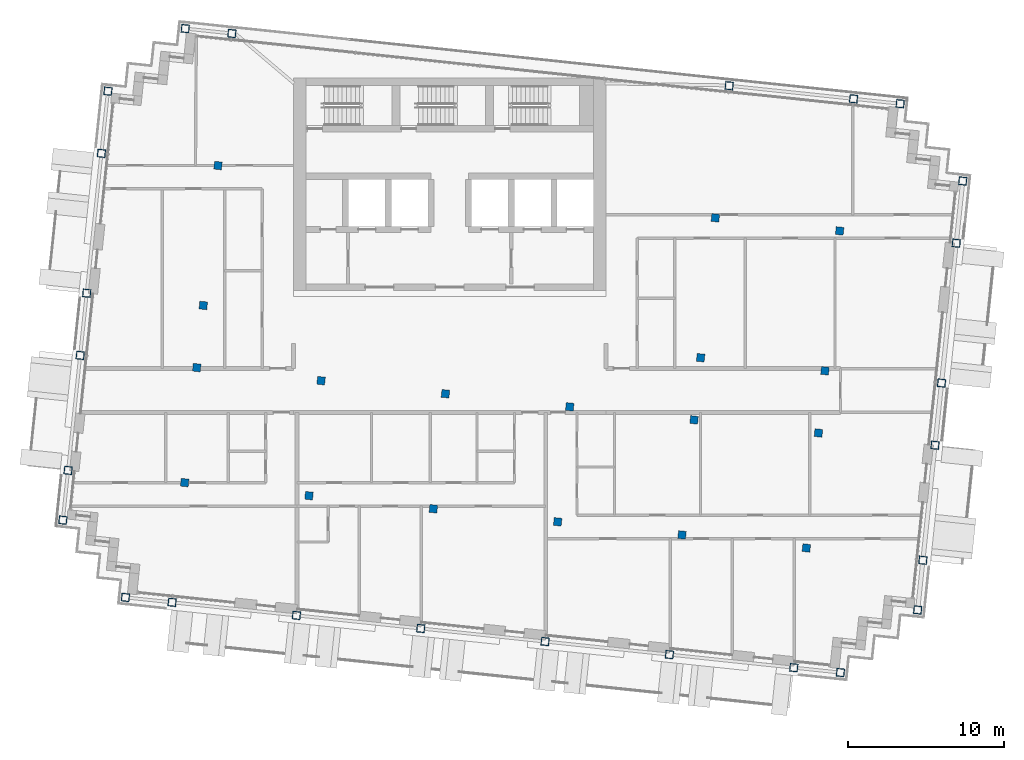
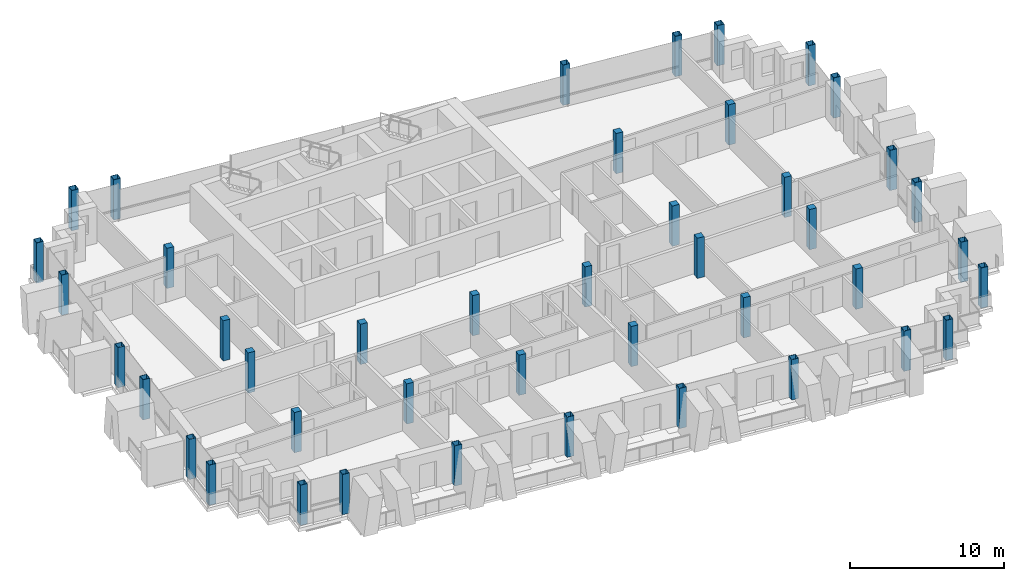
# One storey, part 1 of 16: 43 columns.
"""IFC4 building model written with IfcOpenShell, lengths in metres."""

from ifc_helpers import new_model, si_unit, direction, frame, origin, origin_2d, place, context, subcontext, project, spatial, rectangle, hollow_rectangle, extrude, material, material_profile, profile_set, type_object, element, save


model = new_model("IFC4")

# Units and contexts
model_context = context("Model", 3, precision=1e-05, world=origin(), true_north=direction((0.0, 1.0)))
body_context = subcontext(model_context, "Body", "Model", "MODEL_VIEW")
ifc_project = project(units=[si_unit("LENGTHUNIT", "METRE"), si_unit("AREAUNIT", "SQUARE_METRE"), si_unit("VOLUMEUNIT", "CUBIC_METRE"), si_unit("PLANEANGLEUNIT", "RADIAN"), si_unit("MASSUNIT", "GRAM", prefix="KILO")], contexts=[model_context])

# Site, building, storey
site_placement = place(None, origin())
site = spatial("IfcSite", under=ifc_project, at=site_placement, CompositionType="ELEMENT")
building_placement = place(site_placement, origin())
building = spatial("IfcBuilding", under=site, at=building_placement, Name="Vidyagriha Tower", CompositionType="ELEMENT")
storey_placement = place(building_placement, frame((0.0, 0.0, 275.5)))
storey = spatial("IfcBuildingStorey", under=building, at=storey_placement, Name="L72", CompositionType="ELEMENT", Elevation=275.5)

# Columns
ifc_material_1 = material(Name="Steel ASTM A572 Grade 50", Category="steel")
ifc_material_profile_1 = material_profile(ifc_material_1, hollow_rectangle(XDim=0.5, YDim=0.5, WallThickness=0.02490234375, at=origin_2d()), Name="BOX 500x500x25")
ifc_profile_set_1 = profile_set([ifc_material_profile_1], Name="Steel ASTM A572 Grade 50")
column_type_1 = type_object("IfcColumnType", Name="Exoskeleton column BOX 500x500x25", PredefinedType="COLUMN", material=ifc_profile_set_1)
for number, where, z_axis, x_axis, name in (
    (1, (-20.751953125, -13.24267578125, 0.0), (0.0, 0.0, 1.0), (0.994521895368, -0.104528463268, 0.0), "st-col-L72-B6-001"),
    (2, (-17.768310546875, -13.55615234375, 0.0), (0.0, 0.0, 1.0), (0.994521895368, -0.104528463268, 0.0), "st-col-L72-B6-002"),
    (3, (-9.812255859375, -14.392333984375, 0.0), (0.0, 0.0, 1.0), (0.994521895368, -0.104528463268, 0.0), "st-col-L72-B6-003"),
    (4, (-1.856201171875, -15.228515625, 0.0), (0.0, 0.0, 1.0), (0.994521895368, -0.104528463268, 0.0), "st-col-L72-B6-004"),
    (5, (6.10009765625, -16.06494140625, 0.0), (0.0, 0.0, 1.0), (0.994521895368, -0.104528463268, 0.0), "st-col-L72-B6-005"),
    (6, (14.056396484375, -16.901123046875, 0.0), (0.0, 0.0, 1.0), (0.994521895368, -0.104528463268, 0.0), "st-col-L72-B6-006"),
    (7, (22.012451171875, -17.7373046875, 0.0), (0.0, 0.0, 1.0), (0.994521895368, -0.104528463268, 0.0), "st-col-L72-B6-007"),
    (8, (24.99609375, -18.05078125, 0.0), (0.0, 0.0, 1.0), (0.994521895368, -0.104528463268, 0.0), "st-col-L72-B6-008"),
    (9, (-24.757080078125, -8.296875, 0.0), (0.0, 0.0, 1.0), (0.994521895368, -0.104528463268, 0.0), "st-col-L72-B6-009"),
    (10, (29.941650390625, -14.0458984375, 0.0), (0.0, 0.0, 1.0), (0.994521895368, -0.104528463268, 0.0), "st-col-L72-B6-010"),
    (11, (-24.422607421875, -5.114501953125, 0.0), (0.0, 0.0, 1.0), (0.994521895368, -0.104528463268, 0.0), "st-col-L72-B6-011"),
    (12, (30.276123046875, -10.863525390625, 0.0), (0.0, 0.0, 1.0), (0.994521895368, -0.104528463268, 0.0), "st-col-L72-B6-018"),
    (13, (-23.64892578125, 2.2451171875, 0.0), (0.0, 0.0, 1.0), (0.994521895368, -0.104528463268, 0.0), "st-col-L72-B6-019"),
    (14, (31.0498046875, -3.50390625, 0.0), (0.0, 0.0, 1.0), (0.994521895368, -0.104528463268, 0.0), "st-col-L72-B6-026"),
    (15, (-23.23095703125, 6.22314453125, 0.0), (0.0, 0.0, 1.0), (0.994521895368, -0.104528463268, 0.0), "st-col-L72-B6-027"),
    (16, (31.4677734375, 0.47412109375, 0.0), (0.0, 0.0, 1.0), (0.994521895368, -0.104528463268, 0.0), "st-col-L72-B6-031"),
    (17, (-22.2900390625, 15.173828125, 0.0), (0.0, 0.0, 1.0), (0.994521895368, -0.104528463268, 0.0), "st-col-L72-B6-032"),
    (18, (32.40869140625, 9.4248046875, 0.0), (0.0, 0.0, 1.0), (0.994521895368, -0.104528463268, 0.0), "st-col-L72-B6-036"),
    (19, (-21.8720703125, 19.15185546875, 0.0), (0.0, 0.0, 1.0), (0.994521895368, -0.104528463268, 0.0), "st-col-L72-B6-037"),
    (20, (32.82666015625, 13.40283203125, 0.0), (0.0, 0.0, 1.0), (0.994521895368, -0.104528463268, 0.0), "st-col-L72-B6-038"),
    (21, (-16.92626953125, 23.156982421875, 0.0), (0.0, 0.0, 1.0), (0.994521895368, -0.104528463268, 0.0), "st-col-L72-B6-039"),
    (22, (-13.942626953125, 22.84326171875, 0.0), (0.0, 0.0, 1.0), (0.994521895368, -0.104528463268, 0.0), "st-col-L72-B6-040"),
    (23, (17.882080078125, 19.498291015625, 0.0), (0.0, 0.0, 1.0), (0.994521895368, -0.104528463268, 0.0), "st-col-L72-B6-041"),
    (24, (25.838134765625, 18.662109375, 0.0), (0.0, 0.0, 1.0), (0.994521895368, -0.104528463268, 0.0), "st-col-L72-B6-042"),
    (25, (28.82177734375, 18.3486328125, 0.0), (0.0, 0.0, 1.0), (0.994521895368, -0.104528463268, 0.0), "st-col-L72-B6-043"),
):
    element("IfcColumn", number, at=place(storey_placement, frame(where, z_axis=z_axis, x_axis=x_axis)), inside=storey, type_object=column_type_1, Name=name, PredefinedType="COLUMN", context=body_context, shape_type="SweptSolid", body=[
        extrude(hollow_rectangle(XDim=0.5, YDim=0.5, WallThickness=0.02490234375, at=origin_2d()), origin(), (0.0, 0.0, 1.0), 3.199951171875),
    ])
ifc_material_2 = material(Name="Concrete C60/75", Category="concrete")
ifc_material_profile_2 = material_profile(ifc_material_2, rectangle(XDim=0.5, YDim=0.5, at=origin_2d()), Name="RC 500x500")
ifc_profile_set_2 = profile_set([ifc_material_profile_2], Name="Concrete C60/75")
column_type_2 = type_object("IfcColumnType", Name="Frame column RC 500x500", PredefinedType="COLUMN", material=ifc_profile_set_2)
for number, where, z_axis, x_axis, name in (
    (26, (-16.963623046875, -5.8984375, 0.0), (0.0, 0.0, 1.0), (0.994521895368, -0.104528463268, 0.0), "st-col-L72-B6-012"),
    (27, (-9.00732421875, -6.734619140625, 0.0), (0.0, 0.0, 1.0), (0.994521895368, -0.104528463268, 0.0), "st-col-L72-B6-013"),
    (28, (-1.05126953125, -7.57080078125, 0.0), (0.0, 0.0, 1.0), (0.994521895368, -0.104528463268, 0.0), "st-col-L72-B6-014"),
    (29, (6.905029296875, -8.406982421875, 0.0), (0.0, 0.0, 1.0), (0.994521895368, -0.104528463268, 0.0), "st-col-L72-B6-015"),
    (30, (14.861083984375, -9.243408203125, 0.0), (0.0, 0.0, 1.0), (0.994521895368, -0.104528463268, 0.0), "st-col-L72-B6-016"),
    (31, (22.8173828125, -10.07958984375, 0.0), (0.0, 0.0, 1.0), (0.994521895368, -0.104528463268, 0.0), "st-col-L72-B6-017"),
    (32, (-16.190185546875, 1.461181640625, 0.0), (0.0, 0.0, 1.0), (0.994521895368, -0.104528463268, 0.0), "st-col-L72-B6-020"),
    (33, (-8.23388671875, 0.625, 0.0), (0.0, 0.0, 1.0), (0.994521895368, -0.104528463268, 0.0), "st-col-L72-B6-021"),
    (34, (-0.277587890625, -0.21142578125, 0.0), (0.0, 0.0, 1.0), (0.994521895368, -0.104528463268, 0.0), "st-col-L72-B6-022"),
    (35, (7.678466796875, -1.047607421875, 0.0), (0.0, 0.0, 1.0), (0.994521895368, -0.104528463268, 0.0), "st-col-L72-B6-023"),
    (36, (15.634521484375, -1.8837890625, 0.0), (0.0, 0.0, 1.0), (0.994521895368, -0.104528463268, 0.0), "st-col-L72-B6-024"),
    (37, (23.5908203125, -2.72021484375, 0.0), (0.0, 0.0, 1.0), (0.994521895368, -0.104528463268, 0.0), "st-col-L72-B6-025"),
    (38, (-15.77197265625, 5.439208984375, 0.0), (0.0, 0.0, 1.0), (0.994521895368, -0.104528463268, 0.0), "st-col-L72-B6-028"),
    (39, (16.052734375, 2.09423828125, 0.0), (0.0, 0.0, 1.0), (0.994521895368, -0.104528463268, 0.0), "st-col-L72-B6-029"),
    (40, (24.0087890625, 1.258056640625, 0.0), (0.0, 0.0, 1.0), (0.994521895368, -0.104528463268, 0.0), "st-col-L72-B6-030"),
    (41, (-14.831298828125, 14.389892578125, 0.0), (0.0, 0.0, 1.0), (0.994521895368, -0.104528463268, 0.0), "st-col-L72-B6-033"),
    (42, (16.993408203125, 11.044921875, 0.0), (0.0, 0.0, 1.0), (0.994521895368, -0.104528463268, 0.0), "st-col-L72-B6-034"),
    (43, (24.94970703125, 10.208740234375, 0.0), (0.0, 0.0, 1.0), (0.994521895368, -0.104528463268, 0.0), "st-col-L72-B6-035"),
):
    element("IfcColumn", number, at=place(storey_placement, frame(where, z_axis=z_axis, x_axis=x_axis)), inside=storey, type_object=column_type_2, Name=name, PredefinedType="COLUMN", context=body_context, shape_type="SweptSolid", body=[
        extrude(rectangle(XDim=0.5, YDim=0.5, at=origin_2d()), origin(), (0.0, 0.0, 1.0), 3.199951171875),
    ])

save(model, "model.ifc")
